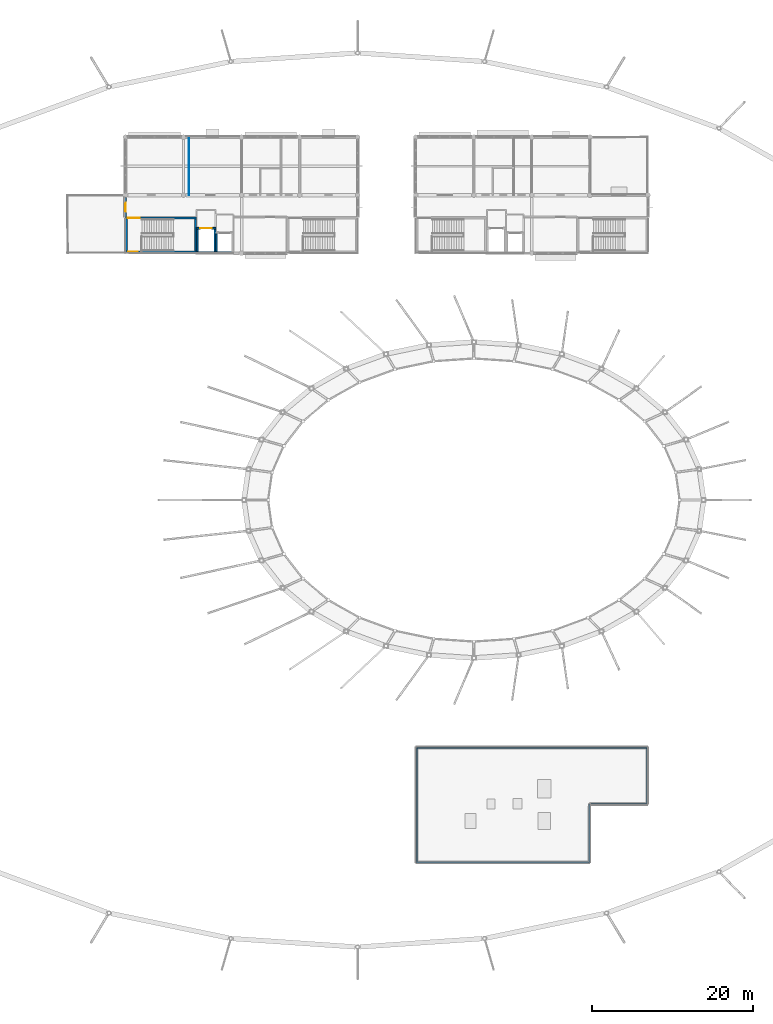
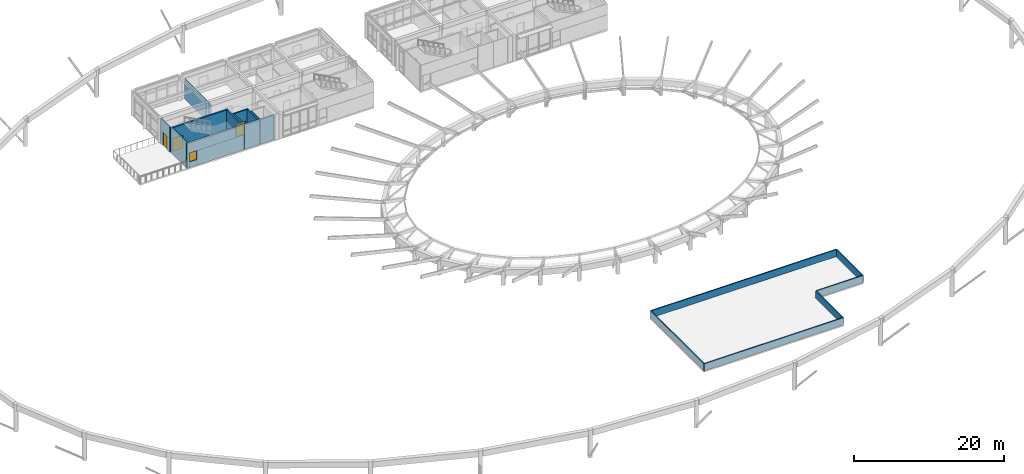
# One storey, part 23 of 37: 18 walls, 3 doors, 1 window, 4 openings.
"""IFC4 building model written with IfcOpenShell, lengths in metres."""

from ifc_helpers import new_model, si_unit, direction, frame, frame_2d, origin, place, context, subcontext, project, spatial, rectangle, extrude, material, layer, layer_set, type_object, element, fill, save


model = new_model("IFC4")

# Units and contexts
model_context = context("Model", 3, precision=1e-05, world=origin(), true_north=direction((0.0, 1.0)))
body_context = subcontext(model_context, "Body", "Model", "MODEL_VIEW")
ifc_project = project(units=[si_unit("LENGTHUNIT", "METRE"), si_unit("AREAUNIT", "SQUARE_METRE"), si_unit("VOLUMEUNIT", "CUBIC_METRE"), si_unit("PLANEANGLEUNIT", "RADIAN"), si_unit("MASSUNIT", "GRAM", prefix="KILO")], contexts=[model_context])

# Site, building, storey
site_placement = place(None, origin())
site = spatial("IfcSite", under=ifc_project, at=site_placement, CompositionType="ELEMENT")
building_placement = place(site_placement, origin())
building = spatial("IfcBuilding", under=site, at=building_placement, Name="Namkhue Oval Health Centre", CompositionType="ELEMENT")
storey_placement = place(building_placement, frame((0.0, 0.0, 22.199951171875)))
storey = spatial("IfcBuildingStorey", under=building, at=storey_placement, Name="L05", CompositionType="ELEMENT", Elevation=22.199951171875)

# Wall, opening, door
ifc_material_1 = material(Name="Autoclaved aerated concrete blockwork M7.5", Category="masonry")
ifc_layer_1 = layer(ifc_material_1, 0.199951171875)
ifc_layer_set_1 = layer_set([ifc_layer_1], Name="Autoclaved aerated concrete blockwork M7.5")
wall_type_1 = type_object("IfcWallType", Name="EXTERIOR ENVELOPE WALL 200", PredefinedType="STANDARD", material=ifc_layer_set_1)
wall_1_placement = place(storey_placement, frame((57.60009765625, 96.905029296875, 0.0), z_axis=(0.0, 0.0, 1.0), x_axis=(0.0, -1.0, 0.0)))
wall_1 = element("IfcWall", 1, at=wall_1_placement, inside=storey, type_object=wall_type_1, Name="Volume V2 L05 Exterior Envelope Wall 51", PredefinedType="STANDARD", context=body_context, shape_type="SweptSolid", body=[
    extrude(rectangle(XDim=2.403076171875, YDim=0.199951171875, at=frame_2d((1.20166015625, 0.0))), origin(), (0.0, 0.0, 1.0), 3.97509765625),
])
opening_1_placement = place(wall_1_placement, frame((0.62158203125, 0.0, 0.0)))
opening_1 = element("IfcOpeningElement", 2, at=opening_1_placement, cuts=wall_1, Name="Opening TD-05", PredefinedType="OPENING", context=body_context, shape_type="SweptSolid", body=[
    extrude(rectangle(XDim=1.159912109375, YDim=2.139892578125, at=frame_2d((0.580078125, 1.06982421875))), frame((0.0, 0.10986328125, 0.0), z_axis=(0.0, -1.0, 0.0), x_axis=(1.0, 0.0, 0.0)), (0.0, 0.0, 1.0), 0.219970703125),
])
ifc_material_2 = material(Name="Anodised aluminium glazed entrance door", Category="aluminium")
door_type_1 = type_object("IfcDoorType", Name="TERRACE DOOR 1160X2140", OperationType="NOTDEFINED", PredefinedType="DOOR", material=ifc_material_2)
door_1_placement = place(opening_1_placement, frame((1.159912109375, 0.0, 0.0), z_axis=(0.0, 0.0, 1.0), x_axis=(-1.0, 0.0, 0.0)))
door_1 = element("IfcDoor", 3, at=door_1_placement, inside=storey, type_object=door_type_1, Name="Volume V2 L05 Roof Terrace Door 5", OperationType="SINGLE_SWING_LEFT", OverallHeight=2.139892578125, OverallWidth=1.159912109375, PredefinedType="DOOR", context=body_context, shape_type="SweptSolid", body=[
    extrude(rectangle(XDim=1.159912109375, YDim=2.139892578125, at=frame_2d((0.580078125, 1.06982421875))), frame((0.0, 0.02490234375, 0.0), z_axis=(0.0, -1.0, 0.0), x_axis=(1.0, 0.0, 0.0)), (0.0, 0.0, 1.0), 0.050048828125),
])
fill(opening_1, door_1)

# Walls
ifc_material_3 = material(Name="Gypsum plasterboard acoustic partition", Category="gypsum")
ifc_layer_2 = layer(ifc_material_3, 0.110107421875)
ifc_layer_set_2 = layer_set([ifc_layer_2], Name="Gypsum plasterboard acoustic partition")
wall_type_2 = type_object("IfcWallType", Name="INTERIOR PARTITION WALL 110", PredefinedType="PARTITIONING", material=ifc_layer_set_2)
wall_2_placement = place(storey_placement, frame((65.47998046875, 97.199951171875, 0.0), z_axis=(0.0, 0.0, 1.0), x_axis=(0.0, 1.0, 0.0)))
element("IfcWall", 4, at=wall_2_placement, inside=storey, type_object=wall_type_2, Name="Volume V2 L05 Clinical Partition Wall 93", PredefinedType="PARTITIONING", context=body_context, shape_type="SweptSolid", body=[
    extrude(rectangle(XDim=7.0830078125, YDim=0.110107421875, at=frame_2d((3.54150390625, 0.0))), origin(), (0.0, 0.0, 1.0), 3.22509765625),
])
ifc_material_4 = material(Name="Precast architectural concrete C35/45 (TCVN B40)", Category="concrete")
ifc_layer_3 = layer(ifc_material_4, 0.1650390625)
ifc_layer_set_3 = layer_set([ifc_layer_3], Name="Precast architectural concrete C35/45 (TCVN B40)")
wall_type_3 = type_object("IfcWallType", Name="ROOF PARAPET WALL 165", PredefinedType="PARAPET", material=ifc_layer_set_3)
wall_3_placement = place(storey_placement, frame((93.6826171875, 14.482421875, 0.219970703125), z_axis=(0.0, 0.0, 1.0), x_axis=(0.0, 1.0, 0.0)))
element("IfcWall", 5, at=wall_3_placement, inside=storey, type_object=wall_type_3, Name="Volume V5 L05 Roof Parapet Wall 1", PredefinedType="PARAPET", context=body_context, shape_type="SweptSolid", body=[
    extrude(rectangle(XDim=14.235107421875, YDim=0.1650390625, at=frame_2d((7.11767578125, 0.0))), origin(), (0.0, 0.0, 1.0), 1.150146484375),
])
wall_4_placement = place(storey_placement, frame((93.6826171875, 28.717529296875, 0.219970703125), z_axis=(0.0, 0.0, 1.0), x_axis=(1.0, 0.0, 0.0)))
element("IfcWall", 6, at=wall_4_placement, inside=storey, type_object=wall_type_3, Name="Volume V5 L05 Roof Parapet Wall 2", PredefinedType="PARAPET", context=body_context, shape_type="SweptSolid", body=[
    extrude(rectangle(XDim=28.634765625, YDim=0.1650390625, at=frame_2d((14.3173828125, 0.0))), origin(), (0.0, 0.0, 1.0), 1.150146484375),
])
wall_5_placement = place(storey_placement, frame((122.3173828125, 28.717529296875, 0.219970703125), z_axis=(0.0, 0.0, 1.0), x_axis=(0.0, -1.0, 0.0)))
element("IfcWall", 7, at=wall_5_placement, inside=storey, type_object=wall_type_3, Name="Volume V5 L05 Roof Parapet Wall 3", PredefinedType="PARAPET", context=body_context, shape_type="SweptSolid", body=[
    extrude(rectangle(XDim=7.034912109375, YDim=0.1650390625, at=frame_2d((3.517578125, 0.0))), origin(), (0.0, 0.0, 1.0), 1.150146484375),
])
wall_6_placement = place(storey_placement, frame((122.3173828125, 21.6826171875, 0.219970703125), z_axis=(0.0, 0.0, 1.0), x_axis=(-1.0, 0.0, 0.0)))
element("IfcWall", 8, at=wall_6_placement, inside=storey, type_object=wall_type_3, Name="Volume V5 L05 Roof Parapet Wall 4", PredefinedType="PARAPET", context=body_context, shape_type="SweptSolid", body=[
    extrude(rectangle(XDim=7.199951171875, YDim=0.1650390625, at=frame_2d((3.60009765625, 0.0))), origin(), (0.0, 0.0, 1.0), 1.150146484375),
])
wall_7_placement = place(storey_placement, frame((115.117431640625, 21.6826171875, 0.219970703125), z_axis=(0.0, 0.0, 1.0), x_axis=(0.0, -1.0, 0.0)))
element("IfcWall", 9, at=wall_7_placement, inside=storey, type_object=wall_type_3, Name="Volume V5 L05 Roof Parapet Wall 5", PredefinedType="PARAPET", context=body_context, shape_type="SweptSolid", body=[
    extrude(rectangle(XDim=7.2001953125, YDim=0.1650390625, at=frame_2d((3.60009765625, 0.0))), origin(), (0.0, 0.0, 1.0), 1.150146484375),
])
wall_8_placement = place(storey_placement, frame((115.117431640625, 14.482421875, 0.219970703125), z_axis=(0.0, 0.0, 1.0), x_axis=(-1.0, 0.0, 0.0)))
element("IfcWall", 10, at=wall_8_placement, inside=storey, type_object=wall_type_3, Name="Volume V5 L05 Roof Parapet Wall 6", PredefinedType="PARAPET", context=body_context, shape_type="SweptSolid", body=[
    extrude(rectangle(XDim=21.434814453125, YDim=0.1650390625, at=frame_2d((10.71728515625, 0.0))), origin(), (0.0, 0.0, 1.0), 1.150146484375),
])

# Wall, opening, window
ifc_material_5 = material(Name="Reinforced concrete C35/45 (TCVN B40)", Category="concrete")
ifc_layer_4 = layer(ifc_material_5, 0.25)
ifc_layer_set_4 = layer_set([ifc_layer_4], Name="Reinforced concrete C35/45 (TCVN B40)")
wall_type_4 = type_object("IfcWallType", Name="SHEAR CORE WALL EXT 250", PredefinedType="SHEAR", material=ifc_layer_set_4)
wall_9_placement = place(storey_placement, frame((57.60009765625, 90.125, 0.0), z_axis=(0.0, 0.0, 1.0), x_axis=(1.0, 0.0, 0.0)))
wall_9 = element("IfcWall", 11, at=wall_9_placement, inside=storey, type_object=wall_type_4, Name="Core SC-03 L05 Shear Wall S", PredefinedType="SHEAR", context=body_context, shape_type="SweptSolid", body=[
    extrude(rectangle(XDim=8.7998046875, YDim=0.25, at=frame_2d((4.39990234375, 0.0))), origin(), (0.0, 0.0, 1.0), 3.97509765625),
])
opening_2_placement = place(wall_9_placement, frame((0.35009765625, 0.0, 0.919921875)))
opening_2 = element("IfcOpeningElement", 12, at=opening_2_placement, cuts=wall_9, Name="Opening SWN-01", PredefinedType="OPENING", context=body_context, shape_type="SweptSolid", body=[
    extrude(rectangle(XDim=1.179931640625, YDim=1.47998046875, at=frame_2d((0.58984375, 0.739990234375))), frame((0.0, 0.135009765625, 0.0), z_axis=(0.0, -1.0, 0.0), x_axis=(1.0, 0.0, 0.0)), (0.0, 0.0, 1.0), 0.27001953125),
])
ifc_material_6 = material(Name="Fire-rated insulated safety double glazing", Category="glass")
window_type = type_object("IfcWindowType", Name="EXTERIOR WINDOW STAIRWELL 1180X1480", PartitioningType="SINGLE_PANEL", PredefinedType="WINDOW", material=ifc_material_6)
window_placement = place(opening_2_placement, origin())
window = element("IfcWindow", 13, at=window_placement, inside=storey, type_object=window_type, Name="Stair ST-03 L05 Stairwell Daylight Window", OverallHeight=1.47998046875, OverallWidth=1.179931640625, PartitioningType="SINGLE_PANEL", PredefinedType="WINDOW", context=body_context, shape_type="SweptSolid", body=[
    extrude(rectangle(XDim=1.179931640625, YDim=1.47998046875, at=frame_2d((0.58984375, 0.739990234375))), frame((0.0, 0.030029296875, 0.0), z_axis=(0.0, -1.0, 0.0), x_axis=(1.0, 0.0, 0.0)), (0.0, 0.0, 1.0), 0.06005859375),
])
fill(opening_2, window)

# Walls
wall_10_placement = place(storey_placement, frame((57.72509765625, 94.25, 0.0), z_axis=(0.0, 0.0, 1.0), x_axis=(0.0, -1.0, 0.0)))
element("IfcWall", 14, at=wall_10_placement, inside=storey, type_object=wall_type_4, Name="Core SC-03 L05 Shear Wall W", PredefinedType="SHEAR", context=body_context, shape_type="SweptSolid", body=[
    extrude(rectangle(XDim=4.0, YDim=0.25, at=frame_2d((2.0, 0.0))), origin(), (0.0, 0.0, 1.0), 3.97509765625),
])
wall_11_placement = place(storey_placement, frame((66.39990234375, 90.10009765625, 0.0), z_axis=(0.0, 0.0, 1.0), x_axis=(1.0, 0.0, 0.0)))
element("IfcWall", 15, at=wall_11_placement, inside=storey, type_object=wall_type_4, Name="Lift LF-01 L05 Shaft Wall S", PredefinedType="SHEAR", context=body_context, shape_type="SweptSolid", body=[
    extrude(rectangle(XDim=2.400146484375, YDim=0.25, at=frame_2d((1.2001953125, 0.0))), origin(), (0.0, 0.0, 1.0), 3.97509765625),
])
wall_12_placement = place(storey_placement, frame((68.800048828125, 90.10009765625, 0.0), z_axis=(0.0, 0.0, 1.0), x_axis=(1.0, 0.0, 0.0)))
element("IfcWall", 16, at=wall_12_placement, inside=storey, type_object=wall_type_4, Name="Lift LF-02 L05 Shaft Wall S", PredefinedType="SHEAR", context=body_context, shape_type="SweptSolid", body=[
    extrude(rectangle(XDim=2.199951171875, YDim=0.25, at=frame_2d((1.10009765625, 0.0))), origin(), (0.0, 0.0, 1.0), 3.97509765625),
])
ifc_layer_5 = layer(ifc_material_5, 0.199951171875)
ifc_layer_set_5 = layer_set([ifc_layer_5], Name="Reinforced concrete C35/45 (TCVN B40)")
wall_type_5 = type_object("IfcWallType", Name="SHEAR CORE WALL INT 200", PredefinedType="SHEAR", material=ifc_layer_set_5)
wall_13_placement = place(storey_placement, frame((68.699951171875, 90.199951171875, 0.0), z_axis=(0.0, 0.0, 1.0), x_axis=(0.0, 1.0, 0.0)))
element("IfcWall", 17, at=wall_13_placement, inside=storey, type_object=wall_type_5, Name="Lift LF-01 L05 Shaft Wall E", PredefinedType="SHEAR", context=body_context, shape_type="SweptSolid", body=[
    extrude(rectangle(XDim=2.800048828125, YDim=0.199951171875, at=frame_2d((1.39990234375, 0.0))), origin(), (0.0, 0.0, 1.0), 3.97509765625),
])

# Wall, opening, door
wall_14_placement = place(storey_placement, frame((68.800048828125, 93.10009765625, 0.0), z_axis=(0.0, 0.0, 1.0), x_axis=(-1.0, 0.0, 0.0)))
wall_14 = element("IfcWall", 18, at=wall_14_placement, inside=storey, type_object=wall_type_5, Name="Lift LF-01 L05 Shaft Wall N", PredefinedType="SHEAR", context=body_context, shape_type="SweptSolid", body=[
    extrude(rectangle(XDim=2.400146484375, YDim=0.199951171875, at=frame_2d((1.2001953125, 0.0))), origin(), (0.0, 0.0, 1.0), 3.97509765625),
])
opening_3_placement = place(wall_14_placement, frame((0.5, 0.0, 0.0)))
opening_3 = element("IfcOpeningElement", 19, at=opening_3_placement, cuts=wall_14, Name="Opening LD-01", PredefinedType="OPENING", context=body_context, shape_type="SweptSolid", body=[
    extrude(rectangle(XDim=1.39990234375, YDim=2.14990234375, at=frame_2d((0.699951171875, 1.074951171875))), frame((0.0, 0.10986328125, 0.0), z_axis=(0.0, -1.0, 0.0), x_axis=(1.0, 0.0, 0.0)), (0.0, 0.0, 1.0), 0.219970703125),
])
ifc_material_7 = material(Name="Powder-coated steel fire door assembly", Category="steel")
door_type_2 = type_object("IfcDoorType", Name="LIFT LANDING DOOR STRETCHER 1400X2150", OperationType="DOUBLE_DOOR_SLIDING", PredefinedType="DOOR", material=ifc_material_7)
door_2_placement = place(opening_3_placement, frame((1.39990234375, 0.0, 0.0), z_axis=(0.0, 0.0, 1.0), x_axis=(-1.0, 0.0, 0.0)))
door_2 = element("IfcDoor", 20, at=door_2_placement, inside=storey, type_object=door_type_2, Name="Lift LF-01 L05 Sliding Landing Door", OperationType="DOUBLE_DOOR_SLIDING", OverallHeight=2.14990234375, OverallWidth=1.39990234375, PredefinedType="DOOR", context=body_context, shape_type="SweptSolid", body=[
    extrude(rectangle(XDim=1.39990234375, YDim=2.14990234375, at=frame_2d((0.699951171875, 1.074951171875))), frame((0.0, 0.02490234375, 0.0), z_axis=(0.0, -1.0, 0.0), x_axis=(1.0, 0.0, 0.0)), (0.0, 0.0, 1.0), 0.050048828125),
])
fill(opening_3, door_2)

# Walls
wall_15_placement = place(storey_placement, frame((66.5, 93.0, 0.0), z_axis=(0.0, 0.0, 1.0), x_axis=(0.0, -1.0, 0.0)))
element("IfcWall", 21, at=wall_15_placement, inside=storey, type_object=wall_type_5, Name="Lift LF-01 L05 Shaft Wall W", PredefinedType="SHEAR", context=body_context, shape_type="SweptSolid", body=[
    extrude(rectangle(XDim=2.800048828125, YDim=0.199951171875, at=frame_2d((1.39990234375, 0.0))), origin(), (0.0, 0.0, 1.0), 3.97509765625),
])
wall_16_placement = place(storey_placement, frame((68.89990234375, 92.39990234375, 0.0), z_axis=(0.0, 0.0, 1.0), x_axis=(0.0, -1.0, 0.0)))
element("IfcWall", 22, at=wall_16_placement, inside=storey, type_object=wall_type_5, Name="Lift LF-02 L05 Shaft Wall W", PredefinedType="SHEAR", context=body_context, shape_type="SweptSolid", body=[
    extrude(rectangle(XDim=2.199951171875, YDim=0.199951171875, at=frame_2d((1.10009765625, 0.0))), origin(), (0.0, 0.0, 1.0), 3.97509765625),
])
ifc_layer_6 = layer(ifc_material_5, 0.25)
ifc_layer_set_6 = layer_set([ifc_layer_6], Name="Reinforced concrete C35/45 (TCVN B40)")
wall_type_6 = type_object("IfcWallType", Name="SHEAR CORE WALL INT 250", PredefinedType="SHEAR", material=ifc_layer_set_6)
wall_17_placement = place(storey_placement, frame((66.27490234375, 90.25, 0.0), z_axis=(0.0, 0.0, 1.0), x_axis=(0.0, 1.0, 0.0)))
element("IfcWall", 23, at=wall_17_placement, inside=storey, type_object=wall_type_6, Name="Core SC-03 L05 Shear Wall E", PredefinedType="SHEAR", context=body_context, shape_type="SweptSolid", body=[
    extrude(rectangle(XDim=4.0, YDim=0.25, at=frame_2d((2.0, 0.0))), origin(), (0.0, 0.0, 1.0), 3.97509765625),
])

# Wall, opening, door
wall_18_placement = place(storey_placement, frame((66.39990234375, 94.375, 0.0), z_axis=(0.0, 0.0, 1.0), x_axis=(-1.0, 0.0, 0.0)))
wall_18 = element("IfcWall", 24, at=wall_18_placement, inside=storey, type_object=wall_type_6, Name="Core SC-03 L05 Shear Wall N", PredefinedType="SHEAR", context=body_context, shape_type="SweptSolid", body=[
    extrude(rectangle(XDim=8.7998046875, YDim=0.25, at=frame_2d((4.39990234375, 0.0))), origin(), (0.0, 0.0, 1.0), 3.97509765625),
])
opening_4_placement = place(wall_18_placement, frame((7.0, 0.0, 0.0)))
opening_4 = element("IfcOpeningElement", 25, at=opening_4_placement, cuts=wall_18, Name="Opening SD-I1", PredefinedType="OPENING", context=body_context, shape_type="SweptSolid", body=[
    extrude(rectangle(XDim=1.5, YDim=2.14990234375, at=frame_2d((0.75, 1.074951171875))), frame((0.0, 0.135009765625, 0.0), z_axis=(0.0, -1.0, 0.0), x_axis=(1.0, 0.0, 0.0)), (0.0, 0.0, 1.0), 0.27001953125),
])
door_type_3 = type_object("IfcDoorType", Name="CLINICAL DOOR STAIR CORE 1500X2150", OperationType="DOUBLE_DOOR_SINGLE_SWING", PredefinedType="DOOR", material=ifc_material_7)
door_3_placement = place(opening_4_placement, origin())
door_3 = element("IfcDoor", 26, at=door_3_placement, inside=storey, type_object=door_type_3, Name="Stair ST-03 L05 Stair Enclosure Fire Door", OperationType="DOUBLE_DOOR_SINGLE_SWING", OverallHeight=2.14990234375, OverallWidth=1.5, PredefinedType="DOOR", context=body_context, shape_type="SweptSolid", body=[
    extrude(rectangle(XDim=1.5, YDim=2.14990234375, at=frame_2d((0.75, 1.074951171875))), frame((0.0, 0.02490234375, 0.0), z_axis=(0.0, -1.0, 0.0), x_axis=(1.0, 0.0, 0.0)), (0.0, 0.0, 1.0), 0.050048828125),
])
fill(opening_4, door_3)

save(model, "model.ifc")
